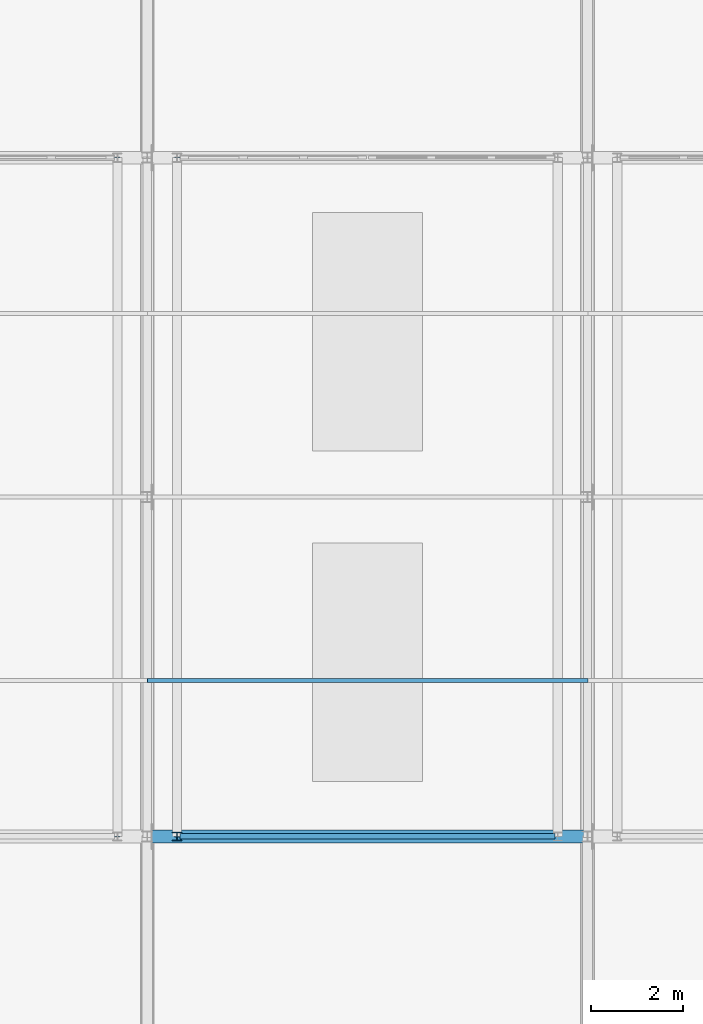
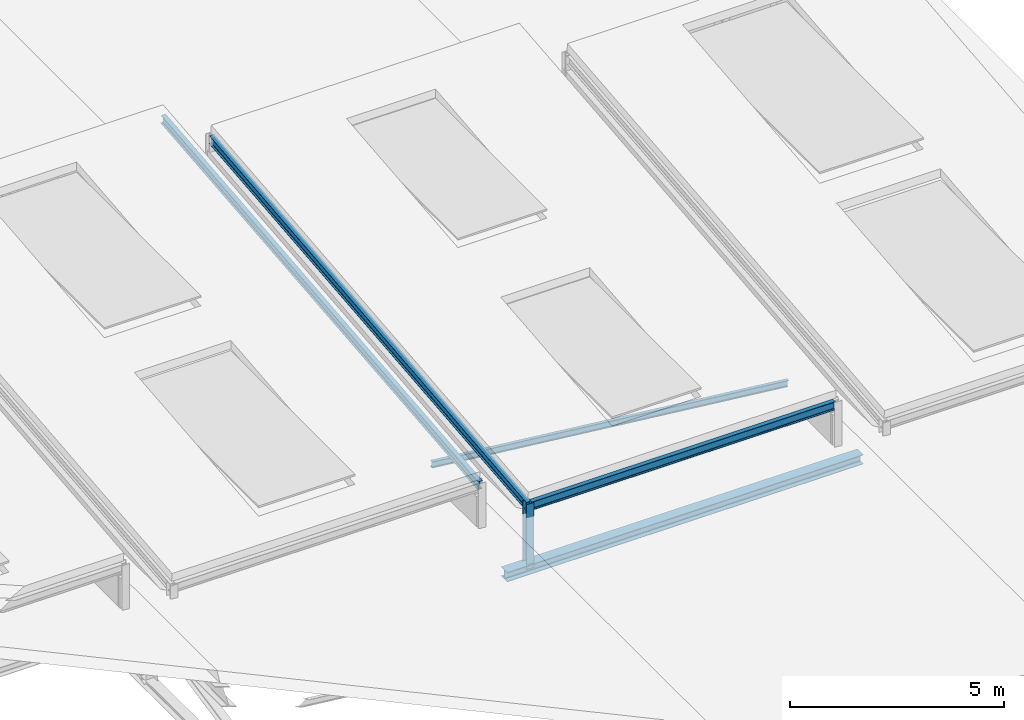
# One storey, part 12 of 30: 4 beams, 2 members.
"""IFC4 building model written with IfcOpenShell, lengths in metres."""

import ifcopenshell
import ifcopenshell.guid

model = None  # the IFC model being written
_history = None  # IfcOwnerHistory: only IFC2X3 demands one
_inside = {}  # id of a spatial element -> (the spatial element, [elements in it])
_under = {}  # id of a project, library or spatial element -> (it, [spatial elements below it])
_declared = {}  # id of a project -> (the project, [libraries it declares])
_typed = {}  # id of a type object -> (the type object, [elements of that type])
_made_of = {}  # id of a material, layer set ... -> (it, [elements and type objects made of it])


def new_model(schema):
    """Start an empty IFC model of exactly this schema.

    Asked for "IFC4X3", IfcOpenShell would pick the latest addendum, in which some entities
    have other attributes; the version numbers below select the first issue.
    IFC2X3 requires an IfcOwnerHistory on every rooted entity: one is made here for all.
    """
    global model, _history
    if schema == "IFC4X3":
        model = ifcopenshell.file(schema_version=(4, 3, 0, 0))
    else:
        model = ifcopenshell.file(schema=schema)
    _inside.clear()
    _under.clear()
    _declared.clear()
    _typed.clear()
    _made_of.clear()
    _history = None
    if model.schema == "IFC2X3":
        org = make("IfcOrganization", Name="unknown")
        user = make(
            "IfcPersonAndOrganization",
            ThePerson=make("IfcPerson", FamilyName="unknown"),
            TheOrganization=org,
        )
        app = make(
            "IfcApplication",
            ApplicationDeveloper=org,
            Version="unknown",
            ApplicationFullName="unknown",
            ApplicationIdentifier="unknown",
        )
        _history = make(
            "IfcOwnerHistory",
            OwningUser=user,
            OwningApplication=app,
            ChangeAction="ADDED",
            CreationDate=0,
        )
    return model


def make(cls, **values):
    """One entity of the class cls with the attributes given. An attribute that is None is left unset."""
    return model.create_entity(
        cls, **{name: value for name, value in values.items() if value is not None}
    )


def rooted(cls, **values):
    """An entity with a GlobalId (a new one), such as an element, a storey or a relation."""
    return make(cls, GlobalId=ifcopenshell.guid.new(), OwnerHistory=_history, **values)


def si_unit(unit_type, name, prefix=None):
    """IfcSIUnit, for example si_unit("LENGTHUNIT", "METRE", prefix="MILLI")."""
    return make("IfcSIUnit", UnitType=unit_type, Prefix=prefix, Name=name)


def assignment(units):
    """IfcUnitAssignment: the units of a project."""
    return None if units is None else make("IfcUnitAssignment", Units=units)


def point(xyz):
    """IfcCartesianPoint."""
    return None if xyz is None else make("IfcCartesianPoint", Coordinates=xyz)


def direction(xyz):
    """IfcDirection."""
    return None if xyz is None else make("IfcDirection", DirectionRatios=xyz)


def frame(location, z_axis=None, x_axis=None):
    """IfcAxis2Placement3D, a coordinate frame: its origin and axes. An axis left out is left unset."""
    return make(
        "IfcAxis2Placement3D",
        Location=point(location),
        Axis=direction(z_axis),
        RefDirection=direction(x_axis),
    )


def frame_2d(location, x_axis=None):
    """IfcAxis2Placement2D, a coordinate frame in the plane: its origin and x axis."""
    return make(
        "IfcAxis2Placement2D", Location=point(location), RefDirection=direction(x_axis)
    )


def origin():
    """The frame at (0, 0, 0) with its axes left unset."""
    return frame((0.0, 0.0, 0.0))


def origin_2d():
    """The frame at (0, 0) in the plane with its x axis left unset."""
    return frame_2d((0.0, 0.0))


def place(relative_to, where):
    """IfcLocalPlacement: puts the frame where relative to a parent placement (None: the world)."""
    return make(
        "IfcLocalPlacement", PlacementRelTo=relative_to, RelativePlacement=where
    )


def context(
    kind, dimensions, precision=None, world=None, true_north=None, identifier=None
):
    """IfcGeometricRepresentationContext, for example the 3D "Model" context."""
    return make(
        "IfcGeometricRepresentationContext",
        ContextIdentifier=identifier,
        ContextType=kind,
        CoordinateSpaceDimension=dimensions,
        Precision=precision,
        WorldCoordinateSystem=world,
        TrueNorth=true_north,
    )


def subcontext(parent, identifier, kind, view, scale=None):
    """IfcGeometricRepresentationSubContext, for example "Body" below "Model"."""
    return make(
        "IfcGeometricRepresentationSubContext",
        ContextIdentifier=identifier,
        ContextType=kind,
        ParentContext=parent,
        TargetScale=scale,
        TargetView=view,
    )


def project(units=None, contexts=None):
    """IfcProject with its units and contexts."""
    return rooted(
        "IfcProject",
        Name="project",
        RepresentationContexts=contexts,
        UnitsInContext=assignment(units),
    )


def spatial(cls, under=None, at=None, **own):
    """A site, building, storey or space (cls), placed at a placement, below another one or the project."""
    s = rooted(cls, ObjectPlacement=at, **own)
    if under is not None:
        _under.setdefault(under.id(), (under, []))[1].append(s)
    return s


def profile(cls, at=None, kind="AREA", **sizes):
    """A parametric profile (cls). Its sizes go by their IFC names, for example OverallWidth=200.0."""
    return make(cls, ProfileType=kind, Position=at, **sizes)


def i_section(**sizes):
    """IfcIShapeProfileDef."""
    return profile("IfcIShapeProfileDef", **sizes)


def extrude(swept, where, along, depth):
    """IfcExtrudedAreaSolid: the profile swept, set in the frame where, extruded along a direction by depth."""
    return make(
        "IfcExtrudedAreaSolid",
        SweptArea=swept,
        Position=where,
        ExtrudedDirection=direction(along),
        Depth=depth,
    )


def shape(context_of_items, identifier, shape_type, items):
    """IfcShapeRepresentation: the items that make up one representation, for example the "Body"."""
    return make(
        "IfcShapeRepresentation",
        ContextOfItems=context_of_items,
        RepresentationIdentifier=identifier,
        RepresentationType=shape_type,
        Items=items,
    )


def material(Name=None, Category=None):
    """IfcMaterial."""
    return make("IfcMaterial", Name=Name, Category=Category)


def material_profile(
    of_material, cross_section, Name=None, Category=None, Priority=None
):
    """IfcMaterialProfile: a cross section and its material."""
    return make(
        "IfcMaterialProfile",
        Name=Name,
        Material=of_material,
        Profile=cross_section,
        Priority=Priority,
        Category=Category,
    )


def profile_set(profiles, Name=None, composite=None):
    """IfcMaterialProfileSet."""
    return make(
        "IfcMaterialProfileSet",
        Name=Name,
        MaterialProfiles=profiles,
        CompositeProfile=composite,
    )


def made_of(thing, what):
    """Note that an element or type object is made of a material, layer set ...; save() writes the relation."""
    if what is not None:
        _made_of.setdefault(what.id(), (what, []))[1].append(thing)
    return thing


def type_object(cls, material=None, **own):
    """A type object (cls), such as IfcWallType, which elements share."""
    return made_of(rooted(cls, **own), material)


def element(
    cls,
    number,
    at=None,
    inside=None,
    cuts=None,
    type_object=None,
    material=None,
    context=None,
    identifier="Body",
    shape_type=None,
    held_by="IfcProductDefinitionShape",
    body=None,
    shapes=None,
    **own,
):
    """One element of the class cls, such as IfcWall. Its Tag is "e" and its number.

    at: its placement. inside: the storey or other place that contains it. cuts: it is an
    opening in that element (IfcRelVoidsElement). A single representation is given by context,
    identifier, shape_type and body (its items); several are given by shapes. held_by: the class
    of the entity that holds the representations. save() writes the other relations.
    """
    e = rooted(cls, Tag="e%d" % number, ObjectPlacement=at, **own)
    if body is not None:
        shapes = [shape(context, identifier, shape_type, body)]
    if shapes is not None:
        e.Representation = make(held_by, Representations=shapes)
    if inside is not None:
        _inside.setdefault(inside.id(), (inside, []))[1].append(e)
    if cuts is not None:
        rooted(
            "IfcRelVoidsElement", RelatingBuildingElement=cuts, RelatedOpeningElement=e
        )
    if type_object is not None:
        _typed.setdefault(type_object.id(), (type_object, []))[1].append(e)
    return made_of(e, material)


def aggregate(whole, parts):
    """IfcRelAggregates: a whole, such as a stair, and the parts it consists of."""
    return rooted("IfcRelAggregates", RelatingObject=whole, RelatedObjects=parts)


def save(model, path):
    """Write the relations noted so far, then the file.

    IfcRelAggregates (storeys below a building ...), IfcRelContainedInSpatialStructure (elements
    in a storey), IfcRelDefinesByType, IfcRelAssociatesMaterial and IfcRelDeclares: one each for
    every whole, place, type object, material and project.
    """
    for whole, parts in _under.values():
        aggregate(whole, parts)
    for where, things in _inside.values():
        rooted(
            "IfcRelContainedInSpatialStructure",
            RelatedElements=things,
            RelatingStructure=where,
        )
    for kind, things in _typed.values():
        rooted("IfcRelDefinesByType", RelatedObjects=things, RelatingType=kind)
    for what, things in _made_of.values():
        rooted("IfcRelAssociatesMaterial", RelatedObjects=things, RelatingMaterial=what)
    for by, libraries in _declared.values():
        rooted("IfcRelDeclares", RelatingContext=by, RelatedDefinitions=libraries)
    model.write(path)


model = new_model("IFC4")

# Units and contexts
model_context = context("Model", 3, precision=1e-05, world=origin(), true_north=direction((0.0, 1.0)))
body_context = subcontext(model_context, "Body", "Model", "MODEL_VIEW")
ifc_project = project(units=[si_unit("LENGTHUNIT", "METRE"), si_unit("AREAUNIT", "SQUARE_METRE"), si_unit("VOLUMEUNIT", "CUBIC_METRE"), si_unit("PLANEANGLEUNIT", "RADIAN"), si_unit("MASSUNIT", "GRAM", prefix="KILO")], contexts=[model_context])

# Site, building, storey
site_placement = place(None, origin())
site = spatial("IfcSite", under=ifc_project, at=site_placement, CompositionType="ELEMENT")
building_placement = place(site_placement, origin())
building = spatial("IfcBuilding", under=site, at=building_placement, Name="Alderhovde Museum", CompositionType="ELEMENT")
storey_placement = place(building_placement, frame((0.0, 0.0, 30.699951171875)))
storey = spatial("IfcBuildingStorey", under=building, at=storey_placement, Name="RF", CompositionType="ELEMENT", Elevation=30.699951171875)

# Beams
ifc_material_1 = material(Name="Steel S355J2", Category="steel")
ifc_material_profile_1 = material_profile(ifc_material_1, i_section(OverallWidth=0.280029296875, OverallDepth=0.27001953125, WebThickness=0.008056640625, FlangeThickness=0.012939453125, FilletRadius=0.02392578125, at=origin_2d()), Name="HEA 280")
ifc_profile_set_1 = profile_set([ifc_material_profile_1], Name="Steel S355J2")
beam_type_1 = type_object("IfcBeamType", Name="BM-HEA280", PredefinedType="BEAM", material=ifc_profile_set_1)
beam_1_placement = place(storey_placement, frame((57.60009765625, 56.60009765625, -6.961669921875), z_axis=(1.0, 0.0, 0.0), x_axis=(0.0, 1.0, 0.0)))
element("IfcBeam", 1, at=beam_1_placement, inside=storey, type_object=beam_type_1, Name="Sawtooth Monitor Stringer Bay 6-S", PredefinedType="BEAM", context=body_context, shape_type="SweptSolid", body=[
    extrude(i_section(OverallWidth=0.280029296875, OverallDepth=0.27001953125, WebThickness=0.008056640625, FlangeThickness=0.012939453125, FilletRadius=0.02392578125, at=origin_2d()), origin(), (0.0, 0.0, 1.0), 9.599853515625),
])
ifc_material_2 = material(Name="Steel S355J2", Category="steel")
ifc_material_profile_2 = material_profile(ifc_material_2, i_section(OverallWidth=0.1201171875, OverallDepth=0.239990234375, WebThickness=0.006103515625, FlangeThickness=0.009765625, FilletRadius=0.014892578125, at=origin_2d()), Name="IPE 240")
ifc_profile_set_2 = profile_set([ifc_material_profile_2], Name="Steel S355J2")
beam_type_2 = type_object("IfcBeamType", Name="BM-IPE240", PredefinedType="BEAM", material=ifc_profile_set_2)
beam_2_placement = place(storey_placement, frame((56.949951171875, 56.60009765625, -4.195068359375), z_axis=(0.0, 0.995035564898, 0.099519970801), x_axis=(-1.0, 0.0, 0.0)))
element("IfcBeam", 2, at=beam_2_placement, inside=storey, type_object=beam_type_2, Name="Sawtooth Monitor Wedge Rafter Bay 5-E", PredefinedType="BEAM", context=body_context, shape_type="SweptSolid", body=[
    extrude(i_section(OverallWidth=0.1201171875, OverallDepth=0.239990234375, WebThickness=0.006103515625, FlangeThickness=0.009765625, FilletRadius=0.014892578125, at=origin_2d()), origin(), (0.0, 0.0, 1.0), 14.87353515625),
])
beam_3_placement = place(storey_placement, frame((58.31005859375, 56.60009765625, -5.233154296875), z_axis=(1.0, 0.0, 0.0), x_axis=(0.0, 1.0, 0.0)))
element("IfcBeam", 3, at=beam_3_placement, inside=storey, type_object=beam_type_2, Name="Sawtooth Monitor Wedge Rafter Bay 6-S", PredefinedType="BEAM", context=body_context, shape_type="SweptSolid", body=[
    extrude(i_section(OverallWidth=0.1201171875, OverallDepth=0.239990234375, WebThickness=0.006103515625, FlangeThickness=0.009765625, FilletRadius=0.014892578125, at=origin_2d()), origin(), (0.0, 0.0, 1.0), 8.179931640625),
])
beam_4_placement = place(storey_placement, frame((58.25, 56.60009765625, -5.233154296875), z_axis=(0.0, 0.99503719021, 0.099503719021), x_axis=(-1.0, 0.0, 0.0)))
element("IfcBeam", 4, at=beam_4_placement, inside=storey, type_object=beam_type_2, Name="Sawtooth Monitor Wedge Rafter Bay 6-W", PredefinedType="BEAM", context=body_context, shape_type="SweptSolid", body=[
    extrude(i_section(OverallWidth=0.1201171875, OverallDepth=0.239990234375, WebThickness=0.006103515625, FlangeThickness=0.009765625, FilletRadius=0.014892578125, at=origin_2d()), origin(), (0.0, 0.0, 1.0), 14.87353515625),
])

# Members
ifc_material_3 = material(Name="Steel S355J2", Category="steel")
ifc_material_profile_3 = material_profile(ifc_material_3, i_section(OverallWidth=0.091064453125, OverallDepth=0.179931640625, WebThickness=0.00537109375, FlangeThickness=0.008056640625, FilletRadius=0.009033203125, at=origin_2d()), Name="IPE 180")
ifc_profile_set_3 = profile_set([ifc_material_profile_3], Name="Steel S355J2")
member_type_1 = type_object("IfcMemberType", Name="PRL-IPE180", PredefinedType="PURLIN", material=ifc_profile_set_3)
member_1_placement = place(storey_placement, frame((57.60009765625, 60.0, -5.88330078125), z_axis=(0.99420142343, 0.0, -0.107533853509), x_axis=(0.0, 1.0, 0.0)))
element("IfcMember", 5, at=member_1_placement, inside=storey, type_object=member_type_1, Name="Folded Wing Roof Purlin Bay 6 Y=60", PredefinedType="PURLIN", context=body_context, shape_type="SweptSolid", body=[
    extrude(i_section(OverallWidth=0.091064453125, OverallDepth=0.179931640625, WebThickness=0.00537109375, FlangeThickness=0.008056640625, FilletRadius=0.009033203125, at=origin_2d()), origin(), (0.0, 0.0, 1.0), 9.65576171875),
])
ifc_material_4 = material(Name="Steel S355J2", Category="steel")
ifc_material_profile_4 = material_profile(ifc_material_4, i_section(OverallWidth=0.199951171875, OverallDepth=0.18994140625, WebThickness=0.006591796875, FlangeThickness=0.010009765625, FilletRadius=0.01806640625, at=origin_2d()), Name="HEA 200")
ifc_profile_set_4 = profile_set([ifc_material_profile_4], Name="Steel S355J2")
member_type_2 = type_object("IfcMemberType", Name="TR-PS-HEA200", PredefinedType="POST", material=ifc_profile_set_4)
member_2_placement = place(storey_placement, frame((58.25, 56.60009765625, -6.961669921875), z_axis=(0.0, 0.0, 1.0), x_axis=(1.0, 0.0, 0.0)))
element("IfcMember", 6, at=member_2_placement, inside=storey, type_object=member_type_2, Name="Sawtooth Monitor Post Bay 6-1", PredefinedType="POST", context=body_context, shape_type="SweptSolid", body=[
    extrude(i_section(OverallWidth=0.199951171875, OverallDepth=0.18994140625, WebThickness=0.006591796875, FlangeThickness=0.010009765625, FilletRadius=0.01806640625, at=origin_2d()), origin(), (0.0, 0.0, 1.0), 1.848388671875),
])

save(model, "model.ifc")
